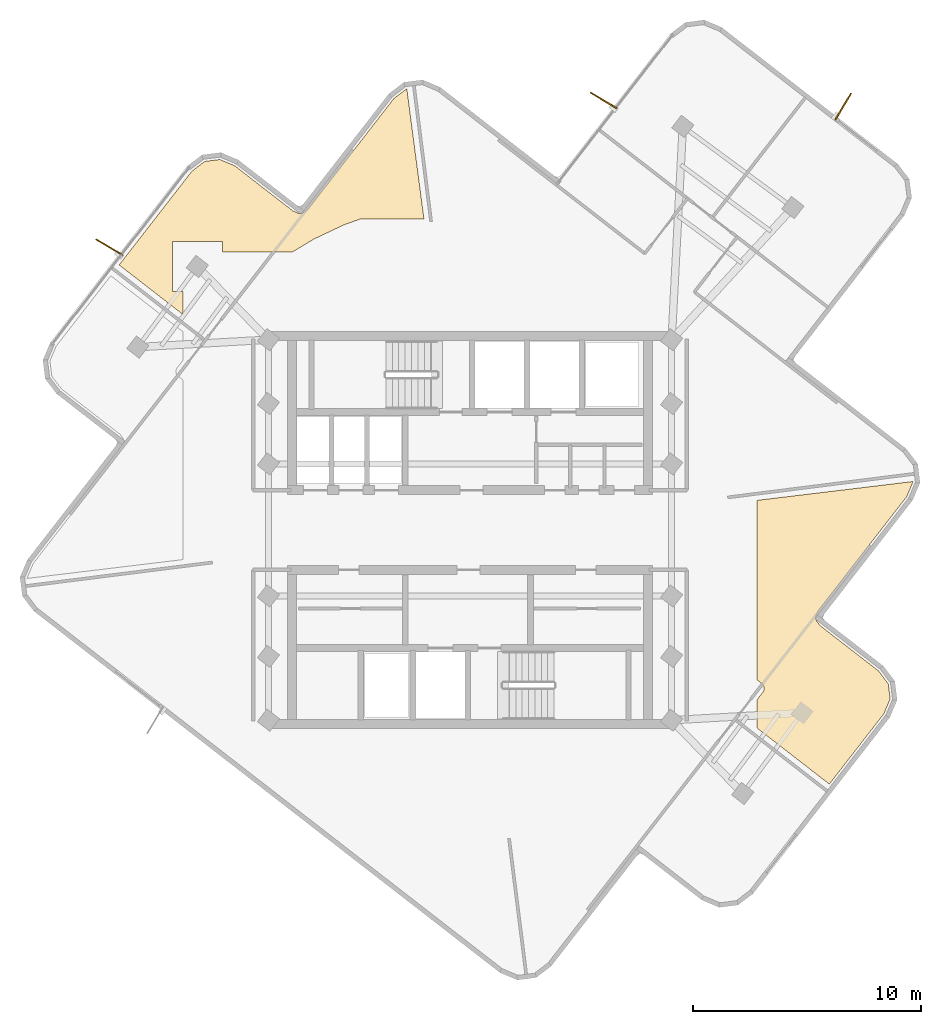
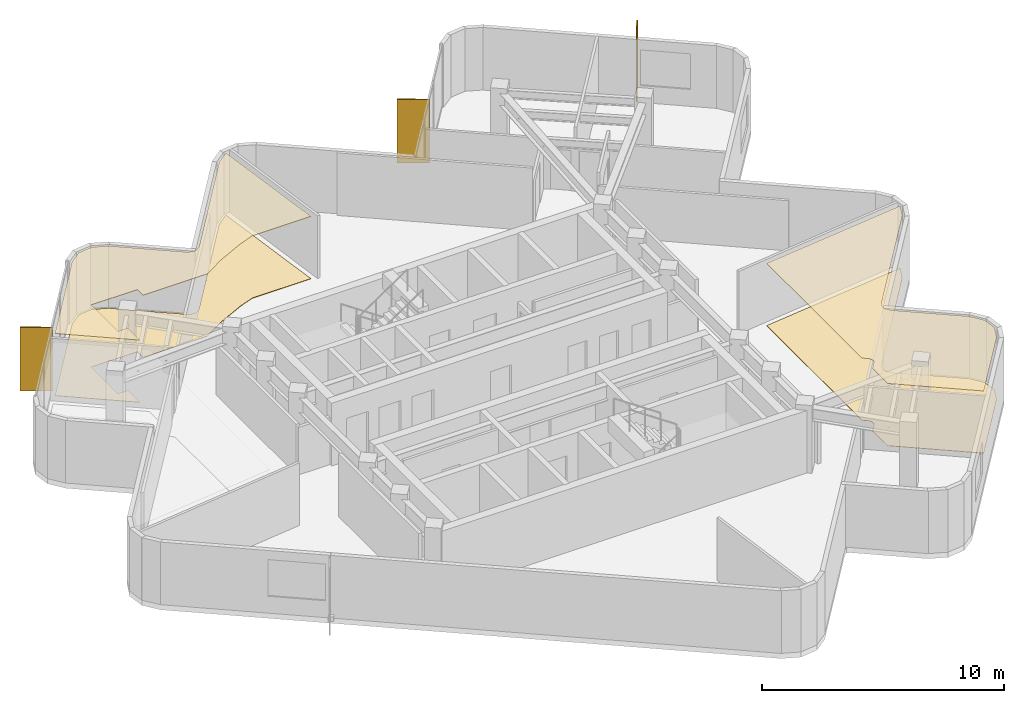
# One storey, part 10 of 10: 4 coverings, 3 shading devices.
"""IFC4 building model written with IfcOpenShell, lengths in metres."""

from ifc_helpers import new_model, si_unit, direction, frame, origin, origin_2d, place, context, subcontext, project, spatial, polyline, rectangle, outline, extrude, material, layer, layer_set, type_object, element, save


model = new_model("IFC4")

# Units and contexts
model_context = context("Model", 3, precision=1e-05, world=origin(), true_north=direction((0.0, 1.0)))
body_context = subcontext(model_context, "Body", "Model", "MODEL_VIEW")
ifc_project = project(units=[si_unit("LENGTHUNIT", "METRE"), si_unit("AREAUNIT", "SQUARE_METRE"), si_unit("VOLUMEUNIT", "CUBIC_METRE"), si_unit("PLANEANGLEUNIT", "RADIAN"), si_unit("MASSUNIT", "GRAM", prefix="KILO")], contexts=[model_context])

# Site, building, storey
site_placement = place(None, origin())
site = spatial("IfcSite", under=ifc_project, at=site_placement, CompositionType="ELEMENT")
building_placement = place(site_placement, origin())
building = spatial("IfcBuilding", under=site, at=building_placement, Name="Solmarez Civic Tower", CompositionType="ELEMENT")
storey_placement = place(building_placement, frame((0.0, 0.0, 261.179931640625)))
storey = spatial("IfcBuildingStorey", under=building, at=storey_placement, Name="L70", CompositionType="ELEMENT", Elevation=261.179931640625)

# Coverings
ifc_material_1 = material(Name="Perforated Mineral-Fibre Acoustic Ceiling")
ifc_layer_1 = layer(ifc_material_1, 0.02490234375)
ifc_layer_set_1 = layer_set([ifc_layer_1], Name="Perforated Mineral-Fibre Acoustic Ceiling")
covering_type_1 = type_object("IfcCoveringType", Name="COV-CEIL-ACOUSTIC", PredefinedType="CEILING", material=ifc_layer_set_1)
covering_1_placement = place(storey_placement, frame((0.0, 0.0, 3.135009765625)))
element("IfcCovering", 1, at=covering_1_placement, inside=storey, type_object=covering_type_1, Name="L70 Suspended Acoustic Ceiling 2", PredefinedType="CEILING", context=body_context, shape_type="SweptSolid", body=[
    extrude(outline(polyline([(12.60009765625, 1.300048828125), (12.60009765625, -6.5830078125), (12.804931640625, -6.741943359375), (12.825927734375, -6.760009765625), (12.8330078125, -6.76708984375), (12.84912109375, -6.785888671875), (12.864013671875, -6.805908203125), (12.868896484375, -6.81396484375), (12.883056640625, -6.842041015625), (12.886962890625, -6.85107421875), (12.889892578125, -6.85791015625), (12.89208984375, -6.863037109375), (12.89892578125, -6.883056640625), (12.904052734375, -6.903076171875), (12.906982421875, -6.923095703125), (12.907958984375, -6.93310546875), (12.908935546875, -6.9560546875), (12.907958984375, -6.97900390625), (12.906982421875, -6.988037109375), (12.904052734375, -7.007080078125), (12.903076171875, -7.011962890625), (12.89599609375, -7.0390625), (12.89306640625, -7.048095703125), (12.885009765625, -7.06689453125), (12.8759765625, -7.0849609375), (12.87109375, -7.093994140625), (12.863037109375, -7.10791015625), (12.85302734375, -7.1220703125), (12.60009765625, -7.447998046875), (12.60009765625, -8.697998046875), (15.77099609375, -11.156982421875), (18.1669921875, -8.068115234375), (18.44189453125, -7.4140625), (18.35791015625, -6.751953125), (17.929931640625, -6.18798828125), (15.406982421875, -4.23095703125), (15.39111328125, -4.218994140625), (15.3740234375, -4.202880859375), (15.35693359375, -4.18310546875), (15.35302734375, -4.178955078125), (15.346923828125, -4.1708984375), (15.242919921875, -4.033935546875), (15.235107421875, -4.02294921875), (15.23095703125, -4.01708984375), (15.222900390625, -4.00390625), (15.218994140625, -3.9970703125), (15.2080078125, -3.97509765625), (15.205078125, -3.968017578125), (15.195068359375, -3.94091796875), (15.193115234375, -3.93408203125), (15.19091796875, -3.927001953125), (15.18701171875, -3.910888671875), (15.18505859375, -3.89404296875), (15.18408203125, -3.885986328125), (15.181884765625, -3.85888671875), (15.181884765625, -3.843994140625), (15.18408203125, -3.81689453125), (15.18701171875, -3.798095703125), (15.18896484375, -3.791015625), (15.19091796875, -3.779052734375), (15.196044921875, -3.760009765625), (15.202880859375, -3.741943359375), (15.2060546875, -3.736083984375), (15.27197265625, -3.577880859375), (15.278076171875, -3.56494140625), (15.281005859375, -3.55908203125), (15.283935546875, -3.552978515625), (15.298095703125, -3.529052734375), (15.302001953125, -3.52294921875), (15.31103515625, -3.510009765625), (19.172119140625, 1.467041015625), (19.447021484375, 2.1201171875), (19.446044921875, 2.126953125), (12.60009765625, 1.300048828125)])), origin(), (0.0, 0.0, 1.0), 0.025146484375),
])
covering_2_placement = place(storey_placement, frame((0.0, 0.0, 3.135009765625)))
element("IfcCovering", 2, at=covering_2_placement, inside=storey, type_object=covering_type_1, Name="L70 Suspended Acoustic Ceiling 3", PredefinedType="CEILING", context=body_context, shape_type="SweptSolid", body=[
    extrude(outline(polyline([(-12.60009765625, 9.45703125), (-12.60009765625, 10.466064453125), (-13.071044921875, 10.466064453125), (-13.071044921875, 12.666015625), (-10.87109375, 12.666015625), (-10.87109375, 12.199951171875), (-7.797119140625, 12.199951171875), (-6.842041015625, 12.77294921875), (-6.826904296875, 12.781005859375), (-6.81396484375, 12.787109375), (-5.552978515625, 13.384033203125), (-5.532958984375, 13.39208984375), (-4.85107421875, 13.635986328125), (-4.844970703125, 13.637939453125), (-4.818115234375, 13.64501953125), (-4.81298828125, 13.64599609375), (-4.7919921875, 13.64892578125), (-4.77001953125, 13.64990234375), (-2.02197265625, 13.64990234375), (-2.77490234375, 19.364013671875), (-2.782958984375, 19.363037109375), (-3.346923828125, 18.93505859375), (-7.0849609375, 14.114990234375), (-7.10302734375, 14.093994140625), (-7.10791015625, 14.089111328125), (-7.113037109375, 14.083984375), (-7.132080078125, 14.068115234375), (-7.136962890625, 14.06396484375), (-7.14111328125, 14.06103515625), (-7.27587890625, 13.9580078125), (-7.29296875, 13.945068359375), (-7.31103515625, 13.93408203125), (-7.330078125, 13.925048828125), (-7.3369140625, 13.922119140625), (-7.35107421875, 13.916015625), (-7.367919921875, 13.909912109375), (-7.385009765625, 13.905029296875), (-7.39306640625, 13.903076171875), (-7.4189453125, 13.89794921875), (-7.43408203125, 13.89697265625), (-7.452880859375, 13.89501953125), (-7.472900390625, 13.89501953125), (-7.491943359375, 13.89697265625), (-7.4970703125, 13.89794921875), (-7.5029296875, 13.89892578125), (-7.52001953125, 13.90087890625), (-7.535888671875, 13.905029296875), (-7.54296875, 13.906982421875), (-7.570068359375, 13.9169921875), (-7.575927734375, 13.9189453125), (-7.73291015625, 13.985107421875), (-7.7470703125, 13.990966796875), (-7.7529296875, 13.993896484375), (-7.777099609375, 14.008056640625), (-7.782958984375, 14.011962890625), (-7.7890625, 14.01611328125), (-7.802001953125, 14.02490234375), (-10.330078125, 15.986083984375), (-10.98291015625, 16.260009765625), (-11.64599609375, 16.177001953125), (-12.2099609375, 15.748046875), (-15.403076171875, 11.632080078125), (-12.60009765625, 9.45703125)])), origin(), (0.0, 0.0, 1.0), 0.025146484375),
])
ifc_material_2 = material(Name="Polished Tropical Stone Terrazzo Flooring", Category="masonry")
ifc_layer_2 = layer(ifc_material_2, 0.02001953125)
ifc_layer_set_2 = layer_set([ifc_layer_2], Name="Polished Tropical Stone Terrazzo Flooring")
covering_type_2 = type_object("IfcCoveringType", Name="COV-FLOOR-TERRAZZO", PredefinedType="FLOORING", material=ifc_layer_set_2)
covering_3_placement = place(storey_placement, origin())
element("IfcCovering", 3, at=covering_3_placement, inside=storey, type_object=covering_type_2, Name="L70 Terrazzo Floor Finish 2", PredefinedType="FLOORING", context=body_context, shape_type="SweptSolid", body=[
    extrude(outline(polyline([(12.60009765625, 1.300048828125), (12.60009765625, -6.5830078125), (12.804931640625, -6.741943359375), (12.825927734375, -6.760009765625), (12.8330078125, -6.76708984375), (12.84912109375, -6.785888671875), (12.864013671875, -6.805908203125), (12.868896484375, -6.81396484375), (12.883056640625, -6.842041015625), (12.886962890625, -6.85107421875), (12.889892578125, -6.85791015625), (12.89208984375, -6.863037109375), (12.89892578125, -6.883056640625), (12.904052734375, -6.903076171875), (12.906982421875, -6.923095703125), (12.907958984375, -6.93310546875), (12.908935546875, -6.9560546875), (12.907958984375, -6.97900390625), (12.906982421875, -6.988037109375), (12.904052734375, -7.007080078125), (12.903076171875, -7.011962890625), (12.89599609375, -7.0390625), (12.89306640625, -7.048095703125), (12.885009765625, -7.06689453125), (12.8759765625, -7.0849609375), (12.87109375, -7.093994140625), (12.863037109375, -7.10791015625), (12.85302734375, -7.1220703125), (12.60009765625, -7.447998046875), (12.60009765625, -8.697998046875), (15.77099609375, -11.156982421875), (18.1669921875, -8.068115234375), (18.44189453125, -7.4140625), (18.35791015625, -6.751953125), (17.929931640625, -6.18798828125), (15.406982421875, -4.23095703125), (15.39111328125, -4.218994140625), (15.3740234375, -4.202880859375), (15.35693359375, -4.18310546875), (15.35302734375, -4.178955078125), (15.346923828125, -4.1708984375), (15.242919921875, -4.033935546875), (15.235107421875, -4.02294921875), (15.23095703125, -4.01708984375), (15.222900390625, -4.00390625), (15.218994140625, -3.9970703125), (15.2080078125, -3.97509765625), (15.205078125, -3.968017578125), (15.195068359375, -3.94091796875), (15.193115234375, -3.93408203125), (15.19091796875, -3.927001953125), (15.18701171875, -3.910888671875), (15.18505859375, -3.89404296875), (15.18408203125, -3.885986328125), (15.181884765625, -3.85888671875), (15.181884765625, -3.843994140625), (15.18408203125, -3.81689453125), (15.18701171875, -3.798095703125), (15.18896484375, -3.791015625), (15.19091796875, -3.779052734375), (15.196044921875, -3.760009765625), (15.202880859375, -3.741943359375), (15.2060546875, -3.736083984375), (15.27197265625, -3.577880859375), (15.278076171875, -3.56494140625), (15.281005859375, -3.55908203125), (15.283935546875, -3.552978515625), (15.298095703125, -3.529052734375), (15.302001953125, -3.52294921875), (15.31103515625, -3.510009765625), (19.172119140625, 1.467041015625), (19.447021484375, 2.1201171875), (19.446044921875, 2.126953125), (12.60009765625, 1.300048828125)])), origin(), (0.0, 0.0, 1.0), 0.02001953125),
])
covering_4_placement = place(storey_placement, origin())
element("IfcCovering", 4, at=covering_4_placement, inside=storey, type_object=covering_type_2, Name="L70 Terrazzo Floor Finish 3", PredefinedType="FLOORING", context=body_context, shape_type="SweptSolid", body=[
    extrude(outline(polyline([(-12.60009765625, 9.45703125), (-12.60009765625, 10.466064453125), (-13.071044921875, 10.466064453125), (-13.071044921875, 12.666015625), (-10.87109375, 12.666015625), (-10.87109375, 12.199951171875), (-7.797119140625, 12.199951171875), (-6.842041015625, 12.77294921875), (-6.826904296875, 12.781005859375), (-6.81396484375, 12.787109375), (-5.552978515625, 13.384033203125), (-5.532958984375, 13.39208984375), (-4.85107421875, 13.635986328125), (-4.844970703125, 13.637939453125), (-4.818115234375, 13.64501953125), (-4.81298828125, 13.64599609375), (-4.7919921875, 13.64892578125), (-4.77001953125, 13.64990234375), (-2.02197265625, 13.64990234375), (-2.77490234375, 19.364013671875), (-2.782958984375, 19.363037109375), (-3.346923828125, 18.93505859375), (-7.0849609375, 14.114990234375), (-7.10302734375, 14.093994140625), (-7.10791015625, 14.089111328125), (-7.113037109375, 14.083984375), (-7.132080078125, 14.068115234375), (-7.136962890625, 14.06396484375), (-7.14111328125, 14.06103515625), (-7.27587890625, 13.9580078125), (-7.29296875, 13.945068359375), (-7.31103515625, 13.93408203125), (-7.330078125, 13.925048828125), (-7.3369140625, 13.922119140625), (-7.35107421875, 13.916015625), (-7.367919921875, 13.909912109375), (-7.385009765625, 13.905029296875), (-7.39306640625, 13.903076171875), (-7.4189453125, 13.89794921875), (-7.43408203125, 13.89697265625), (-7.452880859375, 13.89501953125), (-7.472900390625, 13.89501953125), (-7.491943359375, 13.89697265625), (-7.4970703125, 13.89794921875), (-7.5029296875, 13.89892578125), (-7.52001953125, 13.90087890625), (-7.535888671875, 13.905029296875), (-7.54296875, 13.906982421875), (-7.570068359375, 13.9169921875), (-7.575927734375, 13.9189453125), (-7.73291015625, 13.985107421875), (-7.7470703125, 13.990966796875), (-7.7529296875, 13.993896484375), (-7.777099609375, 14.008056640625), (-7.782958984375, 14.011962890625), (-7.7890625, 14.01611328125), (-7.802001953125, 14.02490234375), (-10.330078125, 15.986083984375), (-10.98291015625, 16.260009765625), (-11.64599609375, 16.177001953125), (-12.2099609375, 15.748046875), (-15.403076171875, 11.632080078125), (-12.60009765625, 9.45703125)])), origin(), (0.0, 0.0, 1.0), 0.02001953125),
])

# Shading devices
ifc_material_3 = material(Name="Bronze Anodised Aluminium EN AW-6063 T6", Category="aluminium")
ifc_layer_3 = layer(ifc_material_3, 0.054931640625)
ifc_layer_set_3 = layer_set([ifc_layer_3], Name="Bronze Anodised Aluminium EN AW-6063 T6")
shading_device_type = type_object("IfcShadingDeviceType", Name="FIN-BRONZE-Z56", PredefinedType="USERDEFINED", material=ifc_layer_set_3)
for number, where, z_axis, x_axis, name in (
    (5, (-15.841064453125, 12.4140625, -0.0400390625), (0.0, 0.0, 1.0), (-0.859513477625, 0.511113081207, 0.0), "L70 Anodised Bronze Solar Fin FIN-L70-02"),
    (6, (5.861083984375, 18.85498046875, -0.0400390625), (0.0, 0.0, 1.0), (-0.859468871322, 0.511188085961, 0.0), "L70 Anodised Bronze Solar Fin FIN-L70-03"),
    (7, (16.37890625, 18.5859375, -0.0400390625), (0.0, 0.0, 1.0), (0.511233086945, 0.859442104398, 0.0), "L70 Anodised Bronze Solar Fin FIN-L70-04"),
):
    element("IfcShadingDevice", number, at=place(storey_placement, frame(where, z_axis=z_axis, x_axis=x_axis)), inside=storey, type_object=shading_device_type, Name=name, ObjectType="FIN", PredefinedType="USERDEFINED", context=body_context, shape_type="SweptSolid", body=[
        extrude(rectangle(XDim=1.35009765625, YDim=0.054931640625, at=origin_2d()), origin(), (0.0, 0.0, 1.0), 3.199951171875),
    ])

save(model, "model.ifc")
